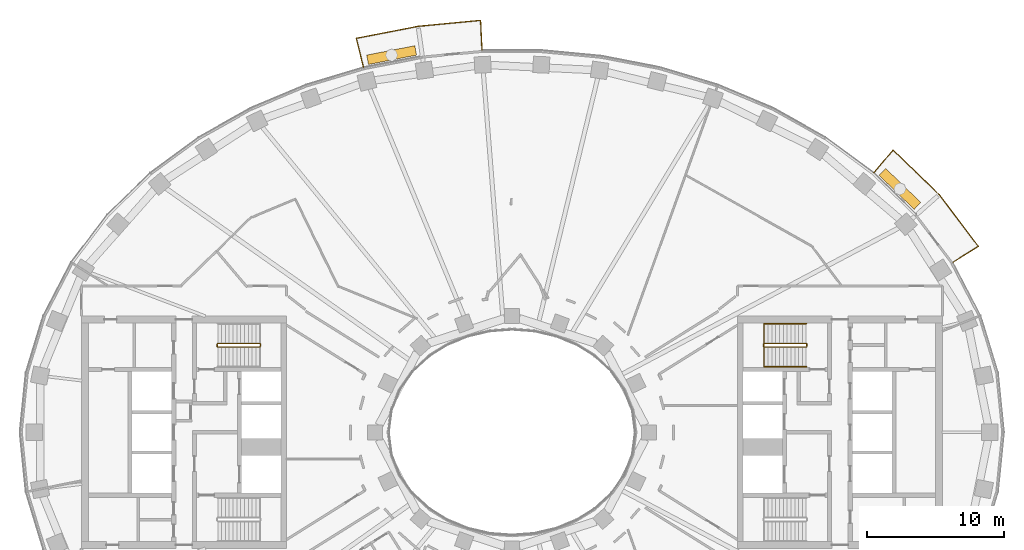
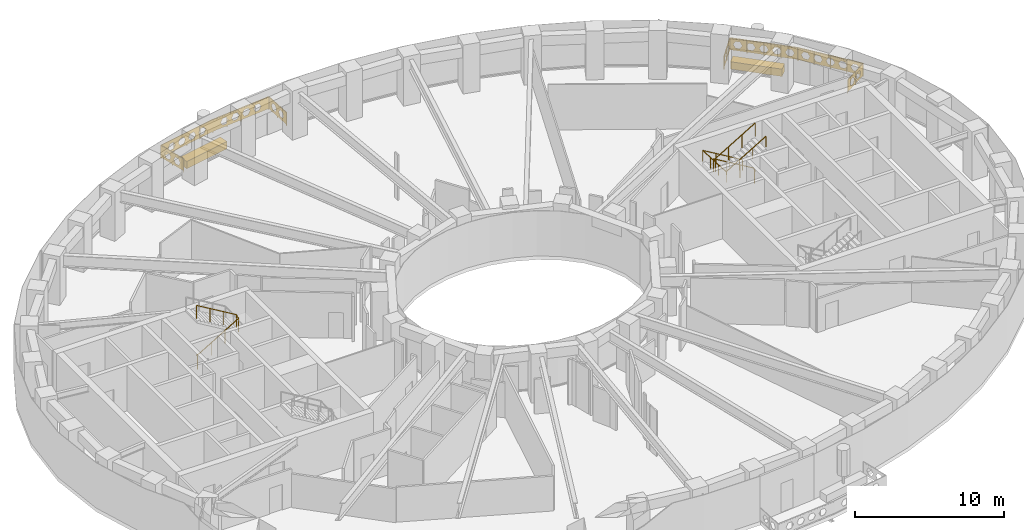
# One storey, part 15 of 16: 5 railings, 2 coverings.
"""IFC4 building model written with IfcOpenShell, lengths in metres."""

from ifc_helpers import new_model, si_unit, direction, frame, origin, origin_2d, place, context, subcontext, project, spatial, polyline, rectangle, outline, extrude, material, type_object, element, save


model = new_model("IFC4")

# Units and contexts
model_context = context("Model", 3, precision=1e-05, world=origin(), true_north=direction((0.0, 1.0)))
body_context = subcontext(model_context, "Body", "Model", "MODEL_VIEW")
ifc_project = project(units=[si_unit("LENGTHUNIT", "METRE"), si_unit("AREAUNIT", "SQUARE_METRE"), si_unit("VOLUMEUNIT", "CUBIC_METRE"), si_unit("PLANEANGLEUNIT", "RADIAN"), si_unit("MASSUNIT", "GRAM", prefix="KILO")], contexts=[model_context])

# Site, building, storey
site_placement = place(None, origin())
site = spatial("IfcSite", under=ifc_project, at=site_placement, CompositionType="ELEMENT")
building_placement = place(site_placement, origin())
building = spatial("IfcBuilding", under=site, at=building_placement, Name="Noorbagh Ring Tower", CompositionType="ELEMENT")
storey_placement = place(building_placement, frame((0.0, 0.0, 150.0)))
storey = spatial("IfcBuildingStorey", under=building, at=storey_placement, Name="L34", CompositionType="ELEMENT", Elevation=150.0)

# Railings
ifc_material_1 = material(Name="Stainless steel", Category="steel")
railing_type_1 = type_object("IfcRailingType", Name="CORE-STAIR-GUARD", PredefinedType="GUARDRAIL", material=ifc_material_1)
railing_1_placement = place(storey_placement, frame((-21.580078125, 6.300048828125, 0.0)))
element("IfcRailing", 1, at=railing_1_placement, inside=storey, type_object=railing_type_1, Name="L34 ST1 stair guard", PredefinedType="GUARDRAIL", context=body_context, shape_type="SweptSolid", body=[
    extrude(rectangle(XDim=0.048095703125, YDim=0.048095703125, at=origin_2d()), frame((0.0, 0.0, 1.076171875), z_axis=(0.0, 1.0, 0.0), x_axis=(-1.0, 0.0, 0.0)), (0.0, 0.0, 1.0), 0.14990234375),
    extrude(rectangle(XDim=0.048095703125, YDim=0.048095703125, at=origin_2d()), frame((0.0, 0.14990234375, 1.076171875), z_axis=(0.188775798145, -0.754182335027, 0.628945707965), x_axis=(0.970072785993, 0.242814311512, 0.0)), (0.0, 0.0, 1.0), 0.26513671875),
    extrude(rectangle(XDim=0.048095703125, YDim=0.048095703125, at=origin_2d()), frame((0.050048828125, -0.050048828125, 1.24267578125), z_axis=(0.859308565015, 0.0, 0.511457515432), x_axis=(0.0, 1.0, 0.0)), (0.0, 0.0, 1.0), 3.58447265625),
    extrude(rectangle(XDim=0.048095703125, YDim=0.048095703125, at=origin_2d()), frame((3.130126953125, -0.050048828125, 3.076171875), z_axis=(0.707106781187, 0.707106781187, 0.0), x_axis=(-0.707106781187, 0.707106781187, 0.0)), (0.0, 0.0, 1.0), 0.07080078125),
    extrude(rectangle(XDim=0.048095703125, YDim=0.048095703125, at=origin_2d()), frame((3.18017578125, 0.0, 3.076171875), z_axis=(0.0, 1.0, 0.0), x_axis=(-1.0, 0.0, 0.0)), (0.0, 0.0, 1.0), 0.14990234375),
    extrude(rectangle(XDim=0.048095703125, YDim=0.048095703125, at=origin_2d()), frame((3.18017578125, 0.14990234375, 3.076171875), z_axis=(-0.27628659633, 0.27628659633, 0.920506074601), x_axis=(-0.707106781187, -0.707106781187, 0.0)), (0.0, 0.0, 1.0), 0.18115234375),
    extrude(rectangle(XDim=0.048095703125, YDim=0.048095703125, at=origin_2d()), frame((3.130126953125, 0.199951171875, 3.24267578125), z_axis=(-0.859308565015, 0.0, 0.511457515432), x_axis=(0.0, -1.0, 0.0)), (0.0, 0.0, 1.0), 3.58447265625),
    extrude(rectangle(XDim=0.0419921875, YDim=0.0419921875, at=origin_2d()), origin(), (0.0, 0.0, 1.0), 1.052001953125),
    extrude(rectangle(XDim=0.0419921875, YDim=0.0419921875, at=origin_2d()), frame((1.07666015625, -0.050048828125, 0.77783203125)), (0.0, 0.0, 1.0), 1.052001953125),
    extrude(rectangle(XDim=0.0419921875, YDim=0.0419921875, at=origin_2d()), frame((2.103515625, -0.050048828125, 1.388916015625)), (0.0, 0.0, 1.0), 1.052001953125),
    extrude(rectangle(XDim=0.0419921875, YDim=0.0419921875, at=origin_2d()), frame((3.130126953125, -0.050048828125, 2.0)), (0.0, 0.0, 1.0), 1.052001953125),
    extrude(rectangle(XDim=0.0419921875, YDim=0.0419921875, at=origin_2d()), frame((3.130126953125, 0.199951171875, 2.166748046875)), (0.0, 0.0, 1.0), 1.052001953125),
    extrude(rectangle(XDim=0.0419921875, YDim=0.0419921875, at=origin_2d()), frame((2.103515625, 0.199951171875, 2.77783203125)), (0.0, 0.0, 1.0), 1.052001953125),
    extrude(rectangle(XDim=0.0419921875, YDim=0.0419921875, at=origin_2d()), frame((1.07666015625, 0.199951171875, 3.388916015625)), (0.0, 0.0, 1.0), 1.052001953125),
    extrude(rectangle(XDim=0.0419921875, YDim=0.0419921875, at=origin_2d()), frame((0.050048828125, 0.199951171875, 4.0)), (0.0, 0.0, 1.0), 1.052001953125),
])
railing_2_placement = place(storey_placement, frame((21.580078125, 6.449951171875, 0.0)))
element("IfcRailing", 2, at=railing_2_placement, inside=storey, type_object=railing_type_1, Name="L34 ST3 stair guard", PredefinedType="GUARDRAIL", context=body_context, shape_type="SweptSolid", body=[
    extrude(rectangle(XDim=0.048095703125, YDim=0.048095703125, at=origin_2d()), frame((0.0, 0.0, 1.076171875), z_axis=(0.0, -1.0, 0.0), x_axis=(1.0, 0.0, 0.0)), (0.0, 0.0, 1.0), 0.14990234375),
    extrude(rectangle(XDim=0.048095703125, YDim=0.048095703125, at=origin_2d()), frame((0.0, -0.14990234375, 1.076171875), z_axis=(-0.188775798145, 0.754182335027, 0.628945707965), x_axis=(-0.970072785993, -0.242814311512, 0.0)), (0.0, 0.0, 1.0), 0.26513671875),
    extrude(rectangle(XDim=0.048095703125, YDim=0.048095703125, at=origin_2d()), frame((-0.050048828125, 0.050048828125, 1.24267578125), z_axis=(-0.859308565015, 0.0, 0.511457515432), x_axis=(0.0, -1.0, 0.0)), (0.0, 0.0, 1.0), 3.58447265625),
    extrude(rectangle(XDim=0.048095703125, YDim=0.048095703125, at=origin_2d()), frame((-3.130126953125, 0.050048828125, 3.076171875), z_axis=(-0.707106781187, -0.707106781187, 0.0), x_axis=(0.707106781187, -0.707106781187, 0.0)), (0.0, 0.0, 1.0), 0.07080078125),
    extrude(rectangle(XDim=0.048095703125, YDim=0.048095703125, at=origin_2d()), frame((-3.18017578125, 0.0, 3.076171875), z_axis=(0.0, -1.0, 0.0), x_axis=(1.0, 0.0, 0.0)), (0.0, 0.0, 1.0), 0.14990234375),
    extrude(rectangle(XDim=0.048095703125, YDim=0.048095703125, at=origin_2d()), frame((-3.18017578125, -0.14990234375, 3.076171875), z_axis=(0.27628659633, -0.27628659633, 0.920506074601), x_axis=(0.707106781187, 0.707106781187, 0.0)), (0.0, 0.0, 1.0), 0.18115234375),
    extrude(rectangle(XDim=0.048095703125, YDim=0.048095703125, at=origin_2d()), frame((-3.130126953125, -0.199951171875, 3.24267578125), z_axis=(0.859308565015, 0.0, 0.511457515432), x_axis=(0.0, 1.0, 0.0)), (0.0, 0.0, 1.0), 3.58447265625),
    extrude(rectangle(XDim=0.0419921875, YDim=0.0419921875, at=origin_2d()), origin(), (0.0, 0.0, 1.0), 1.052001953125),
    extrude(rectangle(XDim=0.0419921875, YDim=0.0419921875, at=origin_2d()), frame((-1.07666015625, 0.050048828125, 0.77783203125)), (0.0, 0.0, 1.0), 1.052001953125),
    extrude(rectangle(XDim=0.0419921875, YDim=0.0419921875, at=origin_2d()), frame((-2.103515625, 0.050048828125, 1.388916015625)), (0.0, 0.0, 1.0), 1.052001953125),
    extrude(rectangle(XDim=0.0419921875, YDim=0.0419921875, at=origin_2d()), frame((-3.130126953125, 0.050048828125, 2.0)), (0.0, 0.0, 1.0), 1.052001953125),
    extrude(rectangle(XDim=0.0419921875, YDim=0.0419921875, at=origin_2d()), frame((-3.130126953125, -0.199951171875, 2.166748046875)), (0.0, 0.0, 1.0), 1.052001953125),
    extrude(rectangle(XDim=0.0419921875, YDim=0.0419921875, at=origin_2d()), frame((-2.103515625, -0.199951171875, 2.77783203125)), (0.0, 0.0, 1.0), 1.052001953125),
    extrude(rectangle(XDim=0.0419921875, YDim=0.0419921875, at=origin_2d()), frame((-1.07666015625, -0.199951171875, 3.388916015625)), (0.0, 0.0, 1.0), 1.052001953125),
    extrude(rectangle(XDim=0.0419921875, YDim=0.0419921875, at=origin_2d()), frame((-0.050048828125, -0.199951171875, 4.0)), (0.0, 0.0, 1.0), 1.052001953125),
])
ifc_material_2 = material(Name="Stainless steel", Category="steel")
railing_type_2 = type_object("IfcRailingType", Name="CORE-STAIR-HANDRAIL", PredefinedType="HANDRAIL", material=ifc_material_2)
railing_3_placement = place(storey_placement, frame((21.530029296875, 7.949951171875, 0.166748046875)))
element("IfcRailing", 3, at=railing_3_placement, inside=storey, type_object=railing_type_2, Name="L34 ST3 stair handrail", PredefinedType="HANDRAIL", context=body_context, shape_type="SweptSolid", body=[
    extrude(rectangle(XDim=0.048095703125, YDim=0.048095703125, at=origin_2d()), frame((0.0, 0.0, 0.8759765625), z_axis=(-0.859308565015, 0.0, 0.511457515432), x_axis=(0.0, -1.0, 0.0)), (0.0, 0.0, 1.0), 3.58447265625),
    extrude(rectangle(XDim=0.048095703125, YDim=0.048095703125, at=origin_2d()), frame((-3.080078125, 0.0, 2.708984375), z_axis=(0.0, -0.998601747152, 0.052863509014), x_axis=(1.0, 0.0, 0.0)), (0.0, 0.0, 1.0), 3.154296875),
    extrude(rectangle(XDim=0.048095703125, YDim=0.048095703125, at=origin_2d()), frame((-3.080078125, -3.14990234375, 2.8759765625), z_axis=(0.859308565015, 0.0, 0.511457515432), x_axis=(0.0, 1.0, 0.0)), (0.0, 0.0, 1.0), 3.58447265625),
    extrude(rectangle(XDim=0.0419921875, YDim=0.0419921875, at=origin_2d()), origin(), (0.0, 0.0, 1.0), 0.851806640625),
    extrude(rectangle(XDim=0.0419921875, YDim=0.0419921875, at=origin_2d()), frame((-1.026611328125, 0.0, 0.611083984375)), (0.0, 0.0, 1.0), 0.851806640625),
    extrude(rectangle(XDim=0.0419921875, YDim=0.0419921875, at=origin_2d()), frame((-2.053466796875, 0.0, 1.22216796875)), (0.0, 0.0, 1.0), 0.851806640625),
    extrude(rectangle(XDim=0.0419921875, YDim=0.0419921875, at=origin_2d()), frame((-3.080078125, 0.0, 1.833251953125)), (0.0, 0.0, 1.0), 0.851806640625),
    extrude(rectangle(XDim=0.0419921875, YDim=0.0419921875, at=origin_2d()), frame((-3.080078125, -1.050048828125, 1.888916015625)), (0.0, 0.0, 1.0), 0.851806640625),
    extrude(rectangle(XDim=0.0419921875, YDim=0.0419921875, at=origin_2d()), frame((-3.080078125, -2.099853515625, 1.9443359375)), (0.0, 0.0, 1.0), 0.851806640625),
    extrude(rectangle(XDim=0.0419921875, YDim=0.0419921875, at=origin_2d()), frame((-3.080078125, -3.14990234375, 2.0)), (0.0, 0.0, 1.0), 0.851806640625),
    extrude(rectangle(XDim=0.0419921875, YDim=0.0419921875, at=origin_2d()), frame((-2.053466796875, -3.14990234375, 2.611083984375)), (0.0, 0.0, 1.0), 0.851806640625),
    extrude(rectangle(XDim=0.0419921875, YDim=0.0419921875, at=origin_2d()), frame((-1.026611328125, -3.14990234375, 3.22216796875)), (0.0, 0.0, 1.0), 0.851806640625),
    extrude(rectangle(XDim=0.0419921875, YDim=0.0419921875, at=origin_2d()), frame((0.0, -3.14990234375, 3.833251953125)), (0.0, 0.0, 1.0), 0.851806640625),
])
ifc_material_3 = material(Name="Steel S275 black powder-coated", Category="steel")
railing_type_3 = type_object("IfcRailingType", Name="ENV-GUARD", PredefinedType="GUARDRAIL", material=ifc_material_3)
railing_4_placement = place(storey_placement, frame((32.255126953125, 12.434814453125, 0.0)))
element("IfcRailing", 4, at=railing_4_placement, inside=storey, type_object=railing_type_3, Name="Balcony guard BN01", PredefinedType="GUARDRAIL", context=body_context, shape_type="SweptSolid", body=[
    extrude(rectangle(XDim=0.048095703125, YDim=0.048095703125, at=origin_2d()), frame((0.0, 0.0, 1.076171875), z_axis=(0.844852397829, 0.534999463442, 0.0), x_axis=(-0.534999463442, 0.844852397829, 0.0)), (0.0, 0.0, 1.0), 2.207763671875),
    extrude(rectangle(XDim=0.048095703125, YDim=0.048095703125, at=origin_2d()), frame((1.865234375, 1.18115234375, 1.076171875), z_axis=(-0.604001613322, 0.796983093362, 0.0), x_axis=(-0.796983093362, -0.604001613322, 0.0)), (0.0, 0.0, 1.0), 4.7353515625),
    extrude(rectangle(XDim=0.048095703125, YDim=0.048095703125, at=origin_2d()), frame((-0.994873046875, 4.955078125, 1.076171875), z_axis=(-0.717212632946, 0.696854388766, 0.0), x_axis=(-0.696854388766, -0.717212632946, 0.0)), (0.0, 0.0, 1.0), 4.700927734375),
    extrude(rectangle(XDim=0.048095703125, YDim=0.048095703125, at=origin_2d()), frame((-4.366455078125, 8.23095703125, 1.076171875), z_axis=(-0.646413574048, -0.762987215677, 0.0), x_axis=(0.762987215677, -0.646413574048, 0.0)), (0.0, 0.0, 1.0), 2.205322265625),
    extrude(rectangle(XDim=0.0419921875, YDim=0.0419921875, at=origin_2d()), origin(), (0.0, 0.0, 1.0), 1.052001953125),
    extrude(rectangle(XDim=0.0419921875, YDim=0.0419921875, at=origin_2d()), frame((0.9326171875, 0.590576171875, 0.0)), (0.0, 0.0, 1.0), 1.052001953125),
    extrude(rectangle(XDim=0.0419921875, YDim=0.0419921875, at=origin_2d()), frame((1.865234375, 1.18115234375, 0.0)), (0.0, 0.0, 1.0), 1.052001953125),
    extrude(rectangle(XDim=0.0419921875, YDim=0.0419921875, at=origin_2d()), frame((1.150146484375, 2.12451171875, 0.0)), (0.0, 0.0, 1.0), 1.052001953125),
    extrude(rectangle(XDim=0.0419921875, YDim=0.0419921875, at=origin_2d()), frame((0.43505859375, 3.068115234375, 0.0)), (0.0, 0.0, 1.0), 1.052001953125),
    extrude(rectangle(XDim=0.0419921875, YDim=0.0419921875, at=origin_2d()), frame((-0.27978515625, 4.01171875, 0.0)), (0.0, 0.0, 1.0), 1.052001953125),
    extrude(rectangle(XDim=0.0419921875, YDim=0.0419921875, at=origin_2d()), frame((-0.994873046875, 4.955078125, 0.0)), (0.0, 0.0, 1.0), 1.052001953125),
    extrude(rectangle(XDim=0.0419921875, YDim=0.0419921875, at=origin_2d()), frame((-1.837890625, 5.77392578125, 0.0)), (0.0, 0.0, 1.0), 1.052001953125),
    extrude(rectangle(XDim=0.0419921875, YDim=0.0419921875, at=origin_2d()), frame((-2.6806640625, 6.593017578125, 0.0)), (0.0, 0.0, 1.0), 1.052001953125),
    extrude(rectangle(XDim=0.0419921875, YDim=0.0419921875, at=origin_2d()), frame((-3.5234375, 7.412109375, 0.0)), (0.0, 0.0, 1.0), 1.052001953125),
    extrude(rectangle(XDim=0.0419921875, YDim=0.0419921875, at=origin_2d()), frame((-4.366455078125, 8.23095703125, 0.0)), (0.0, 0.0, 1.0), 1.052001953125),
    extrude(rectangle(XDim=0.0419921875, YDim=0.0419921875, at=origin_2d()), frame((-5.0791015625, 7.3896484375, 0.0)), (0.0, 0.0, 1.0), 1.052001953125),
    extrude(rectangle(XDim=0.0419921875, YDim=0.0419921875, at=origin_2d()), frame((-5.7919921875, 6.54833984375, 0.0)), (0.0, 0.0, 1.0), 1.052001953125),
    extrude(outline(polyline([(0.0, 0.10009765625), (2.207763671875, 0.10009765625), (2.207763671875, 1.031982421875), (0.0, 1.031982421875), (0.0, 0.10009765625)]), holes=[polyline([(0.9638671875, 0.56591796875), (0.808837890625, 0.83447265625), (0.498779296875, 0.83447265625), (0.343994140625, 0.56591796875), (0.498779296875, 0.297607421875), (0.808837890625, 0.297607421875), (0.9638671875, 0.56591796875)]), polyline([(1.86376953125, 0.56591796875), (1.708984375, 0.83447265625), (1.39892578125, 0.83447265625), (1.243896484375, 0.56591796875), (1.39892578125, 0.297607421875), (1.708984375, 0.297607421875), (1.86376953125, 0.56591796875)])]), frame((-0.00537109375, 0.008544921875, 0.0), z_axis=(0.534999463442, -0.844852397829, 0.0), x_axis=(0.844852397829, 0.534999463442, 0.0)), (0.0, 0.0, 1.0), 0.02001953125),
    extrude(outline(polyline([(0.0, 0.10009765625), (4.7353515625, 0.10009765625), (4.7353515625, 1.031982421875), (0.0, 1.031982421875), (0.0, 0.10009765625)]), holes=[polyline([(0.877685546875, 0.56591796875), (0.72265625, 0.83447265625), (0.41259765625, 0.83447265625), (0.257568359375, 0.56591796875), (0.41259765625, 0.297607421875), (0.72265625, 0.297607421875), (0.877685546875, 0.56591796875)]), polyline([(1.777587890625, 0.56591796875), (1.62255859375, 0.83447265625), (1.312744140625, 0.83447265625), (1.15771484375, 0.56591796875), (1.312744140625, 0.297607421875), (1.62255859375, 0.297607421875), (1.777587890625, 0.56591796875)]), polyline([(2.677734375, 0.56591796875), (2.522705078125, 0.83447265625), (2.212646484375, 0.83447265625), (2.0576171875, 0.56591796875), (2.212646484375, 0.297607421875), (2.522705078125, 0.297607421875), (2.677734375, 0.56591796875)]), polyline([(3.57763671875, 0.56591796875), (3.422607421875, 0.83447265625), (3.112548828125, 0.83447265625), (2.95751953125, 0.56591796875), (3.112548828125, 0.297607421875), (3.422607421875, 0.297607421875), (3.57763671875, 0.56591796875)]), polyline([(4.4775390625, 0.56591796875), (4.32275390625, 0.83447265625), (4.0126953125, 0.83447265625), (3.857666015625, 0.56591796875), (4.0126953125, 0.297607421875), (4.32275390625, 0.297607421875), (4.4775390625, 0.56591796875)])]), frame((1.857177734375, 1.175048828125, 0.0), z_axis=(0.796983093362, 0.604001613322, 0.0), x_axis=(-0.604001613322, 0.796983093362, 0.0)), (0.0, 0.0, 1.0), 0.02001953125),
    extrude(outline(polyline([(0.0, 0.10009765625), (4.700927734375, 0.10009765625), (4.700927734375, 1.031982421875), (0.0, 1.031982421875), (0.0, 0.10009765625)]), holes=[polyline([(0.860595703125, 0.56591796875), (0.70556640625, 0.83447265625), (0.3955078125, 0.83447265625), (0.240478515625, 0.56591796875), (0.3955078125, 0.297607421875), (0.70556640625, 0.297607421875), (0.860595703125, 0.56591796875)]), polyline([(1.760498046875, 0.56591796875), (1.60546875, 0.83447265625), (1.29541015625, 0.83447265625), (1.140380859375, 0.56591796875), (1.29541015625, 0.297607421875), (1.60546875, 0.297607421875), (1.760498046875, 0.56591796875)]), polyline([(2.660400390625, 0.56591796875), (2.50537109375, 0.83447265625), (2.195556640625, 0.83447265625), (2.04052734375, 0.56591796875), (2.195556640625, 0.297607421875), (2.50537109375, 0.297607421875), (2.660400390625, 0.56591796875)]), polyline([(3.560546875, 0.56591796875), (3.405517578125, 0.83447265625), (3.095458984375, 0.83447265625), (2.9404296875, 0.56591796875), (3.095458984375, 0.297607421875), (3.405517578125, 0.297607421875), (3.560546875, 0.56591796875)]), polyline([(4.46044921875, 0.56591796875), (4.305419921875, 0.83447265625), (3.995361328125, 0.83447265625), (3.840576171875, 0.56591796875), (3.995361328125, 0.297607421875), (4.305419921875, 0.297607421875), (4.46044921875, 0.56591796875)])]), frame((-1.001953125, 4.947998046875, 0.0), z_axis=(0.696854388766, 0.717212632946, 0.0), x_axis=(-0.717212632946, 0.696854388766, 0.0)), (0.0, 0.0, 1.0), 0.02001953125),
    extrude(outline(polyline([(0.0, 0.10009765625), (2.205322265625, 0.10009765625), (2.205322265625, 1.031982421875), (0.0, 1.031982421875), (0.0, 0.10009765625)]), holes=[polyline([(0.962646484375, 0.56591796875), (0.8076171875, 0.83447265625), (0.49755859375, 0.83447265625), (0.342529296875, 0.56591796875), (0.49755859375, 0.297607421875), (0.8076171875, 0.297607421875), (0.962646484375, 0.56591796875)]), polyline([(1.862548828125, 0.56591796875), (1.707763671875, 0.83447265625), (1.397705078125, 0.83447265625), (1.24267578125, 0.56591796875), (1.397705078125, 0.297607421875), (1.707763671875, 0.297607421875), (1.862548828125, 0.56591796875)])]), frame((-4.35888671875, 8.224609375, 0.0), z_axis=(-0.762987215677, 0.646413574048, 0.0), x_axis=(-0.646413574048, -0.762987215677, 0.0)), (0.0, 0.0, 1.0), 0.02001953125),
])
railing_5_placement = place(storey_placement, frame((-2.193115234375, 27.947998046875, 0.0)))
element("IfcRailing", 5, at=railing_5_placement, inside=storey, type_object=railing_type_3, Name="Balcony guard BN04", PredefinedType="GUARDRAIL", context=body_context, shape_type="SweptSolid", body=[
    extrude(rectangle(XDim=0.048095703125, YDim=0.048095703125, at=origin_2d()), frame((0.0, 0.0, 1.076171875), z_axis=(-0.047554616162, 0.998868639252, 0.0), x_axis=(-0.998868639252, -0.047554616162, 0.0)), (0.0, 0.0, 1.0), 2.202392578125),
    extrude(rectangle(XDim=0.048095703125, YDim=0.048095703125, at=origin_2d()), frame((-0.104736328125, 2.199951171875, 1.076171875), z_axis=(-0.995477555764, -0.094997031379, 0.0), x_axis=(0.094997031379, -0.995477555764, 0.0)), (0.0, 0.0, 1.0), 4.59765625),
    extrude(rectangle(XDim=0.048095703125, YDim=0.048095703125, at=origin_2d()), frame((-4.681640625, 1.76318359375, 1.076171875), z_axis=(-0.981625049064, -0.1908199755, 0.0), x_axis=(0.1908199755, -0.981625049064, 0.0)), (0.0, 0.0, 1.0), 4.603271484375),
    extrude(rectangle(XDim=0.048095703125, YDim=0.048095703125, at=origin_2d()), frame((-9.200439453125, 0.884765625, 1.076171875), z_axis=(0.239848558412, -0.970810315679, 0.0), x_axis=(0.970810315679, 0.239848558412, 0.0)), (0.0, 0.0, 1.0), 2.20263671875),
    extrude(rectangle(XDim=0.0419921875, YDim=0.0419921875, at=origin_2d()), origin(), (0.0, 0.0, 1.0), 1.052001953125),
    extrude(rectangle(XDim=0.0419921875, YDim=0.0419921875, at=origin_2d()), frame((-0.05224609375, 1.10009765625, 0.0)), (0.0, 0.0, 1.0), 1.052001953125),
    extrude(rectangle(XDim=0.0419921875, YDim=0.0419921875, at=origin_2d()), frame((-0.104736328125, 2.199951171875, 0.0)), (0.0, 0.0, 1.0), 1.052001953125),
    extrude(rectangle(XDim=0.0419921875, YDim=0.0419921875, at=origin_2d()), frame((-1.2490234375, 2.0908203125, 0.0)), (0.0, 0.0, 1.0), 1.052001953125),
    extrude(rectangle(XDim=0.0419921875, YDim=0.0419921875, at=origin_2d()), frame((-2.39306640625, 1.9814453125, 0.0)), (0.0, 0.0, 1.0), 1.052001953125),
    extrude(rectangle(XDim=0.0419921875, YDim=0.0419921875, at=origin_2d()), frame((-3.537353515625, 1.872314453125, 0.0)), (0.0, 0.0, 1.0), 1.052001953125),
    extrude(rectangle(XDim=0.0419921875, YDim=0.0419921875, at=origin_2d()), frame((-4.681640625, 1.76318359375, 0.0)), (0.0, 0.0, 1.0), 1.052001953125),
    extrude(rectangle(XDim=0.0419921875, YDim=0.0419921875, at=origin_2d()), frame((-5.811279296875, 1.54345703125, 0.0)), (0.0, 0.0, 1.0), 1.052001953125),
    extrude(rectangle(XDim=0.0419921875, YDim=0.0419921875, at=origin_2d()), frame((-6.94091796875, 1.323974609375, 0.0)), (0.0, 0.0, 1.0), 1.052001953125),
    extrude(rectangle(XDim=0.0419921875, YDim=0.0419921875, at=origin_2d()), frame((-8.07080078125, 1.1044921875, 0.0)), (0.0, 0.0, 1.0), 1.052001953125),
    extrude(rectangle(XDim=0.0419921875, YDim=0.0419921875, at=origin_2d()), frame((-9.200439453125, 0.884765625, 0.0)), (0.0, 0.0, 1.0), 1.052001953125),
    extrude(rectangle(XDim=0.0419921875, YDim=0.0419921875, at=origin_2d()), frame((-8.936279296875, -0.1845703125, 0.0)), (0.0, 0.0, 1.0), 1.052001953125),
    extrude(rectangle(XDim=0.0419921875, YDim=0.0419921875, at=origin_2d()), frame((-8.672119140625, -1.253662109375, 0.0)), (0.0, 0.0, 1.0), 1.052001953125),
    extrude(outline(polyline([(0.0, 0.10009765625), (2.202392578125, 0.10009765625), (2.202392578125, 1.031982421875), (0.0, 1.031982421875), (0.0, 0.10009765625)]), holes=[polyline([(0.961181640625, 0.56591796875), (0.80615234375, 0.83447265625), (0.496337890625, 0.83447265625), (0.34130859375, 0.56591796875), (0.496337890625, 0.297607421875), (0.80615234375, 0.297607421875), (0.961181640625, 0.56591796875)]), polyline([(1.861328125, 0.56591796875), (1.706298828125, 0.83447265625), (1.396240234375, 0.83447265625), (1.2412109375, 0.56591796875), (1.396240234375, 0.297607421875), (1.706298828125, 0.297607421875), (1.861328125, 0.56591796875)])]), frame((-0.010009765625, -0.00048828125, 0.0), z_axis=(0.998868639252, 0.047554616162, 0.0), x_axis=(-0.047554616162, 0.998868639252, 0.0)), (0.0, 0.0, 1.0), 0.02001953125),
    extrude(outline(polyline([(0.0, 0.10009765625), (4.59765625, 0.10009765625), (4.59765625, 1.031982421875), (0.0, 1.031982421875), (0.0, 0.10009765625)]), holes=[polyline([(1.2587890625, 0.56591796875), (1.103759765625, 0.83447265625), (0.7939453125, 0.83447265625), (0.638916015625, 0.56591796875), (0.7939453125, 0.297607421875), (1.103759765625, 0.297607421875), (1.2587890625, 0.56591796875)]), polyline([(2.158935546875, 0.56591796875), (2.00390625, 0.83447265625), (1.69384765625, 0.83447265625), (1.538818359375, 0.56591796875), (1.69384765625, 0.297607421875), (2.00390625, 0.297607421875), (2.158935546875, 0.56591796875)]), polyline([(3.058837890625, 0.56591796875), (2.90380859375, 0.83447265625), (2.59375, 0.83447265625), (2.43896484375, 0.56591796875), (2.59375, 0.297607421875), (2.90380859375, 0.297607421875), (3.058837890625, 0.56591796875)]), polyline([(3.958740234375, 0.56591796875), (3.803955078125, 0.83447265625), (3.493896484375, 0.83447265625), (3.3388671875, 0.56591796875), (3.493896484375, 0.297607421875), (3.803955078125, 0.297607421875), (3.958740234375, 0.56591796875)])]), frame((-0.103759765625, 2.18994140625, 0.0), z_axis=(-0.094997031379, 0.995477555764, 0.0), x_axis=(-0.995477555764, -0.094997031379, 0.0)), (0.0, 0.0, 1.0), 0.02001953125),
    extrude(outline(polyline([(0.0, 0.10009765625), (4.603271484375, 0.10009765625), (4.603271484375, 1.031982421875), (0.0, 1.031982421875), (0.0, 0.10009765625)]), holes=[polyline([(1.26171875, 0.56591796875), (1.106689453125, 0.83447265625), (0.796630859375, 0.83447265625), (0.6416015625, 0.56591796875), (0.796630859375, 0.297607421875), (1.106689453125, 0.297607421875), (1.26171875, 0.56591796875)]), polyline([(2.16162109375, 0.56591796875), (2.006591796875, 0.83447265625), (1.69677734375, 0.83447265625), (1.541748046875, 0.56591796875), (1.69677734375, 0.297607421875), (2.006591796875, 0.297607421875), (2.16162109375, 0.56591796875)]), polyline([(3.061767578125, 0.56591796875), (2.90673828125, 0.83447265625), (2.5966796875, 0.83447265625), (2.441650390625, 0.56591796875), (2.5966796875, 0.297607421875), (2.90673828125, 0.297607421875), (3.061767578125, 0.56591796875)]), polyline([(3.961669921875, 0.56591796875), (3.806640625, 0.83447265625), (3.49658203125, 0.83447265625), (3.341796875, 0.56591796875), (3.49658203125, 0.297607421875), (3.806640625, 0.297607421875), (3.961669921875, 0.56591796875)])]), frame((-4.6796875, 1.75341796875, 0.0), z_axis=(-0.1908199755, 0.981625049064, 0.0), x_axis=(-0.981625049064, -0.1908199755, 0.0)), (0.0, 0.0, 1.0), 0.02001953125),
    extrude(outline(polyline([(0.0, 0.10009765625), (2.20263671875, 0.10009765625), (2.20263671875, 1.031982421875), (0.0, 1.031982421875), (0.0, 0.10009765625)]), holes=[polyline([(0.96142578125, 0.56591796875), (0.806396484375, 0.83447265625), (0.496337890625, 0.83447265625), (0.34130859375, 0.56591796875), (0.496337890625, 0.297607421875), (0.806396484375, 0.297607421875), (0.96142578125, 0.56591796875)]), polyline([(1.861328125, 0.56591796875), (1.706298828125, 0.83447265625), (1.396240234375, 0.83447265625), (1.241455078125, 0.56591796875), (1.396240234375, 0.297607421875), (1.706298828125, 0.297607421875), (1.861328125, 0.56591796875)])]), frame((-9.190673828125, 0.88720703125, 0.0), z_axis=(-0.970810315679, -0.239848558412, 0.0), x_axis=(0.239848558412, -0.970810315679, 0.0)), (0.0, 0.0, 1.0), 0.02001953125),
])

# Coverings
ifc_material_4 = material(Name="Concrete C30/37 planter with soil", Category="concrete")
covering_type = type_object("IfcCoveringType", Name="ENV-PLANTER", PredefinedType="CLADDING", material=ifc_material_4)
covering_1_placement = place(storey_placement, frame((28.3837890625, 17.814208984375, 0.0), z_axis=(0.0, 0.0, 1.0), x_axis=(-0.717224548362, 0.696842125038, 0.0)))
element("IfcCovering", 6, at=covering_1_placement, inside=storey, type_object=covering_type, Name="PLANTER BN01", ObjectType="PLANTER", PredefinedType="CLADDING", context=body_context, shape_type="SweptSolid", body=[
    extrude(rectangle(XDim=3.584228515625, YDim=0.699951171875, at=origin_2d()), origin(), (0.0, 0.0, 1.0), 0.60009765625),
])
covering_2_placement = place(storey_placement, frame((-8.807861328125, 27.603515625, 0.0), z_axis=(0.0, 0.0, 1.0), x_axis=(-0.981624952922, -0.190820470077, 0.0)))
element("IfcCovering", 7, at=covering_2_placement, inside=storey, type_object=covering_type, Name="PLANTER BN04", ObjectType="PLANTER", PredefinedType="CLADDING", context=body_context, shape_type="SweptSolid", body=[
    extrude(rectangle(XDim=3.586181640625, YDim=0.699951171875, at=origin_2d()), origin(), (0.0, 0.0, 1.0), 0.60009765625),
])

save(model, "model.ifc")
